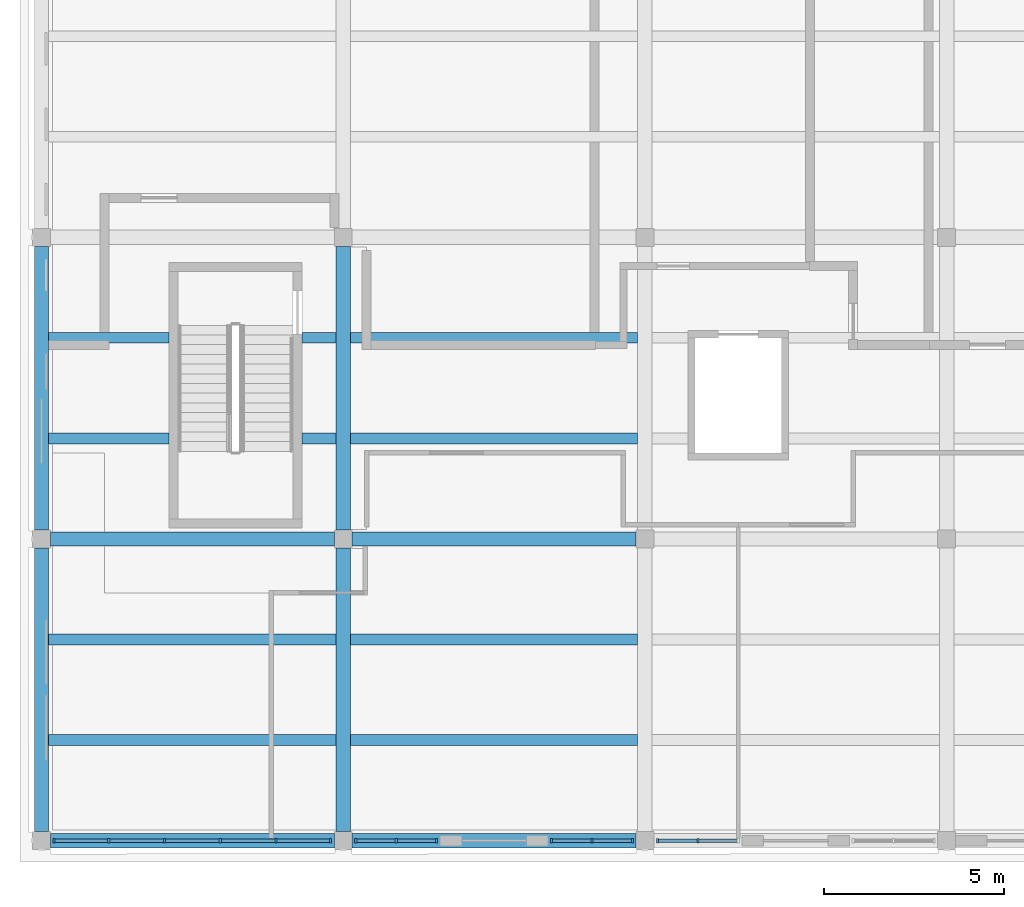
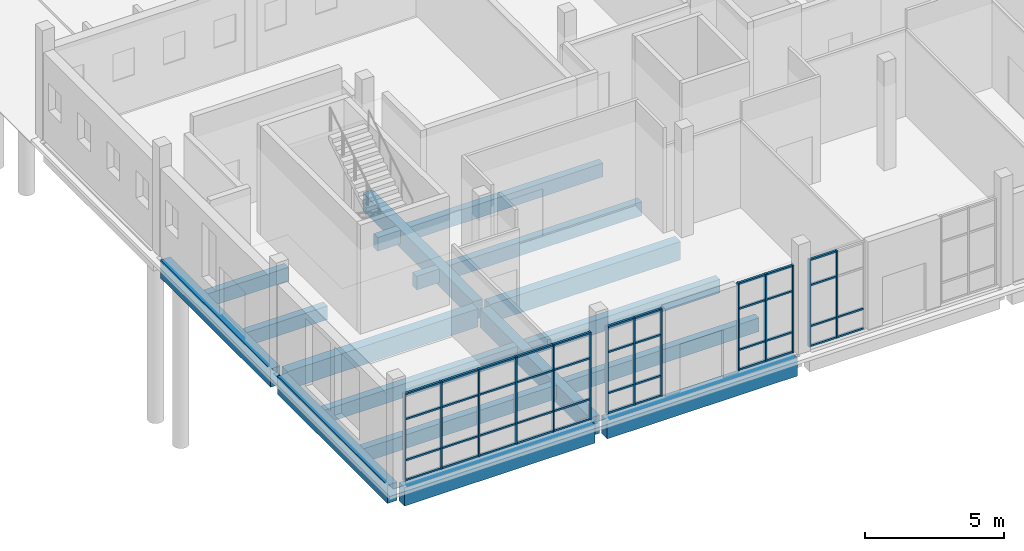
# One storey, part 6 of 110: 56 members, 18 beams, 4 elements without a shape of their own.
"""IFC4 building model written with IfcOpenShell, lengths in metres."""

from ifc_helpers import new_model, si_unit, direction, frame, origin, origin_2d, place, context, subcontext, project, spatial, rectangle, extrude, material, layer, layer_set, material_profile, profile_set, type_object, element, aggregate, save


model = new_model("IFC4")

# Units and contexts
model_context = context("Model", 3, precision=1e-05, world=origin(), true_north=direction((0.0, 1.0)))
body_context = subcontext(model_context, "Body", "Model", "MODEL_VIEW")
ifc_project = project(units=[si_unit("LENGTHUNIT", "METRE"), si_unit("AREAUNIT", "SQUARE_METRE"), si_unit("VOLUMEUNIT", "CUBIC_METRE"), si_unit("PLANEANGLEUNIT", "RADIAN"), si_unit("MASSUNIT", "GRAM", prefix="KILO")], contexts=[model_context])

# Site, building, storey
site_placement = place(None, origin())
site = spatial("IfcSite", under=ifc_project, at=site_placement, CompositionType="ELEMENT")
building_placement = place(site_placement, origin())
building = spatial("IfcBuilding", under=site, at=building_placement, Name="Larchfold Concert Hall", CompositionType="ELEMENT")
storey_placement = place(building_placement, origin())
storey = spatial("IfcBuildingStorey", under=building, at=storey_placement, Name="L00", CompositionType="ELEMENT", Elevation=0.0)

# Curtain wall, members
ifc_material_1 = material(Name="Anodised graphite aluminium curtain wall", Category="aluminium")
ifc_layer = layer(ifc_material_1, 0.1201171875)
ifc_layer_set = layer_set([ifc_layer], Name="Anodised graphite aluminium curtain wall")
curtain_wall_type = type_object("IfcCurtainWallType", Name="Curtain wall SF", PredefinedType="NOTDEFINED", material=ifc_layer_set)
curtain_wall_1_placement = place(storey_placement, origin())
curtain_wall_1 = element("IfcCurtainWall", 1, at=curtain_wall_1_placement, inside=storey, type_object=curtain_wall_type, Name="Curtain wall CW0294", PredefinedType="NOTDEFINED")
ifc_material_2 = material(Name="Anodised graphite aluminium mullion", Category="aluminium")
ifc_material_profile_1 = material_profile(ifc_material_2, rectangle(XDim=0.1201171875, YDim=0.06005859375, at=origin_2d()))
ifc_profile_set_1 = profile_set([ifc_material_profile_1], Name="Anodised graphite aluminium mullion")
member_type_1 = type_object("IfcMemberType", Name="Aluminium mullion 60x120", PredefinedType="MULLION", material=ifc_profile_set_1)
member_1_placement = place(storey_placement, frame((0.9501953125, 0.60009765625, 0.0), z_axis=(0.0, 0.0, 1.0), x_axis=(0.0, 1.0, 0.0)))
member_1 = element("IfcMember", 2, at=member_1_placement, type_object=member_type_1, Name="CW0294 mullion 1", PredefinedType="MULLION", context=body_context, shape_type="SweptSolid", body=[
    extrude(rectangle(XDim=0.1201171875, YDim=0.06005859375, at=origin_2d()), origin(), (0.0, 0.0, 1.0), 3.840087890625),
])
member_2_placement = place(storey_placement, frame((2.47216796875, 0.60009765625, 0.0), z_axis=(0.0, 0.0, 1.0), x_axis=(0.0, 1.0, 0.0)))
member_2 = element("IfcMember", 3, at=member_2_placement, type_object=member_type_1, Name="CW0294 mullion 2", PredefinedType="MULLION", context=body_context, shape_type="SweptSolid", body=[
    extrude(rectangle(XDim=0.1201171875, YDim=0.06005859375, at=origin_2d()), origin(), (0.0, 0.0, 1.0), 3.840087890625),
])
member_3_placement = place(storey_placement, frame((4.024169921875, 0.60009765625, 0.0), z_axis=(0.0, 0.0, 1.0), x_axis=(0.0, 1.0, 0.0)))
member_3 = element("IfcMember", 4, at=member_3_placement, type_object=member_type_1, Name="CW0294 mullion 3", PredefinedType="MULLION", context=body_context, shape_type="SweptSolid", body=[
    extrude(rectangle(XDim=0.1201171875, YDim=0.06005859375, at=origin_2d()), origin(), (0.0, 0.0, 1.0), 3.840087890625),
])
member_4_placement = place(storey_placement, frame((5.575927734375, 0.60009765625, 0.0), z_axis=(0.0, 0.0, 1.0), x_axis=(0.0, 1.0, 0.0)))
member_4 = element("IfcMember", 5, at=member_4_placement, type_object=member_type_1, Name="CW0294 mullion 4", PredefinedType="MULLION", context=body_context, shape_type="SweptSolid", body=[
    extrude(rectangle(XDim=0.1201171875, YDim=0.06005859375, at=origin_2d()), origin(), (0.0, 0.0, 1.0), 3.840087890625),
])
member_5_placement = place(storey_placement, frame((7.1279296875, 0.60009765625, 0.0), z_axis=(0.0, 0.0, 1.0), x_axis=(0.0, 1.0, 0.0)))
member_5 = element("IfcMember", 6, at=member_5_placement, type_object=member_type_1, Name="CW0294 mullion 5", PredefinedType="MULLION", context=body_context, shape_type="SweptSolid", body=[
    extrude(rectangle(XDim=0.1201171875, YDim=0.06005859375, at=origin_2d()), origin(), (0.0, 0.0, 1.0), 3.840087890625),
])
member_6_placement = place(storey_placement, frame((8.64990234375, 0.60009765625, 0.0), z_axis=(0.0, 0.0, 1.0), x_axis=(0.0, 1.0, 0.0)))
member_6 = element("IfcMember", 7, at=member_6_placement, type_object=member_type_1, Name="CW0294 mullion 6", PredefinedType="MULLION", context=body_context, shape_type="SweptSolid", body=[
    extrude(rectangle(XDim=0.1201171875, YDim=0.06005859375, at=origin_2d()), origin(), (0.0, 0.0, 1.0), 3.840087890625),
])

curtain_wall_2_placement = place(storey_placement, origin())
curtain_wall_2 = element("IfcCurtainWall", 8, at=curtain_wall_2_placement, inside=storey, type_object=curtain_wall_type, Name="Curtain wall CW0295", PredefinedType="NOTDEFINED")
member_7_placement = place(storey_placement, frame((9.35009765625, 0.60009765625, 0.0), z_axis=(0.0, 0.0, 1.0), x_axis=(0.0, 1.0, 0.0)))
member_7 = element("IfcMember", 9, at=member_7_placement, type_object=member_type_1, Name="CW0295 mullion 1", PredefinedType="MULLION", context=body_context, shape_type="SweptSolid", body=[
    extrude(rectangle(XDim=0.1201171875, YDim=0.06005859375, at=origin_2d()), origin(), (0.0, 0.0, 1.0), 3.840087890625),
])
member_8_placement = place(storey_placement, frame((10.47509765625, 0.60009765625, 0.0), z_axis=(0.0, 0.0, 1.0), x_axis=(0.0, 1.0, 0.0)))
member_8 = element("IfcMember", 10, at=member_8_placement, type_object=member_type_1, Name="CW0295 mullion 2", PredefinedType="MULLION", context=body_context, shape_type="SweptSolid", body=[
    extrude(rectangle(XDim=0.1201171875, YDim=0.06005859375, at=origin_2d()), origin(), (0.0, 0.0, 1.0), 3.840087890625),
])
member_9_placement = place(storey_placement, frame((11.599853515625, 0.60009765625, 0.0), z_axis=(0.0, 0.0, 1.0), x_axis=(0.0, 1.0, 0.0)))
member_9 = element("IfcMember", 11, at=member_9_placement, type_object=member_type_1, Name="CW0295 mullion 3", PredefinedType="MULLION", context=body_context, shape_type="SweptSolid", body=[
    extrude(rectangle(XDim=0.1201171875, YDim=0.06005859375, at=origin_2d()), origin(), (0.0, 0.0, 1.0), 3.840087890625),
])

curtain_wall_3_placement = place(storey_placement, origin())
curtain_wall_3 = element("IfcCurtainWall", 12, at=curtain_wall_3_placement, inside=storey, type_object=curtain_wall_type, Name="Curtain wall CW0296", PredefinedType="NOTDEFINED")
member_10_placement = place(storey_placement, frame((14.800048828125, 0.60009765625, 0.0), z_axis=(0.0, 0.0, 1.0), x_axis=(0.0, 1.0, 0.0)))
member_10 = element("IfcMember", 13, at=member_10_placement, type_object=member_type_1, Name="CW0296 mullion 1", PredefinedType="MULLION", context=body_context, shape_type="SweptSolid", body=[
    extrude(rectangle(XDim=0.1201171875, YDim=0.06005859375, at=origin_2d()), origin(), (0.0, 0.0, 1.0), 3.840087890625),
])
member_11_placement = place(storey_placement, frame((15.9248046875, 0.60009765625, 0.0), z_axis=(0.0, 0.0, 1.0), x_axis=(0.0, 1.0, 0.0)))
member_11 = element("IfcMember", 14, at=member_11_placement, type_object=member_type_1, Name="CW0296 mullion 2", PredefinedType="MULLION", context=body_context, shape_type="SweptSolid", body=[
    extrude(rectangle(XDim=0.1201171875, YDim=0.06005859375, at=origin_2d()), origin(), (0.0, 0.0, 1.0), 3.840087890625),
])
member_12_placement = place(storey_placement, frame((17.0498046875, 0.60009765625, 0.0), z_axis=(0.0, 0.0, 1.0), x_axis=(0.0, 1.0, 0.0)))
member_12 = element("IfcMember", 15, at=member_12_placement, type_object=member_type_1, Name="CW0296 mullion 3", PredefinedType="MULLION", context=body_context, shape_type="SweptSolid", body=[
    extrude(rectangle(XDim=0.1201171875, YDim=0.06005859375, at=origin_2d()), origin(), (0.0, 0.0, 1.0), 3.840087890625),
])

curtain_wall_4_placement = place(storey_placement, origin())
curtain_wall_4 = element("IfcCurtainWall", 16, at=curtain_wall_4_placement, inside=storey, type_object=curtain_wall_type, Name="Curtain wall CW0297", PredefinedType="NOTDEFINED")
member_13_placement = place(storey_placement, frame((17.75, 0.60009765625, 0.0), z_axis=(0.0, 0.0, 1.0), x_axis=(0.0, 1.0, 0.0)))
member_13 = element("IfcMember", 17, at=member_13_placement, type_object=member_type_1, Name="CW0297 mullion 1", PredefinedType="MULLION", context=body_context, shape_type="SweptSolid", body=[
    extrude(rectangle(XDim=0.1201171875, YDim=0.06005859375, at=origin_2d()), origin(), (0.0, 0.0, 1.0), 3.840087890625),
])
member_14_placement = place(storey_placement, frame((18.875, 0.60009765625, 0.0), z_axis=(0.0, 0.0, 1.0), x_axis=(0.0, 1.0, 0.0)))
member_14 = element("IfcMember", 18, at=member_14_placement, type_object=member_type_1, Name="CW0297 mullion 2", PredefinedType="MULLION", context=body_context, shape_type="SweptSolid", body=[
    extrude(rectangle(XDim=0.1201171875, YDim=0.06005859375, at=origin_2d()), origin(), (0.0, 0.0, 1.0), 3.840087890625),
])

# Member
ifc_material_3 = material(Name="Anodised graphite aluminium transom", Category="aluminium")
ifc_material_profile_2 = material_profile(ifc_material_3, rectangle(XDim=0.090087890625, YDim=0.070068359375, at=origin_2d()))
ifc_profile_set_2 = profile_set([ifc_material_profile_2], Name="Anodised graphite aluminium transom")
member_type_2 = type_object("IfcMemberType", Name="Aluminium transom 70x90", PredefinedType="USERDEFINED", material=ifc_profile_set_2)
member_15_placement = place(storey_placement, frame((0.980224609375, 0.60009765625, 0.034912109375), z_axis=(1.0, 0.0, 0.0), x_axis=(0.0, 1.0, 0.0)))
member_15 = element("IfcMember", 19, at=member_15_placement, type_object=member_type_2, Name="CW0294 transom 1.1", ObjectType="TRANSOM", PredefinedType="USERDEFINED", context=body_context, shape_type="SweptSolid", body=[
    extrude(rectangle(XDim=0.090087890625, YDim=0.070068359375, at=origin_2d()), origin(), (0.0, 0.0, 1.0), 1.4619140625),
])

member_16_placement = place(storey_placement, frame((0.980224609375, 0.60009765625, 0.89990234375), z_axis=(1.0, 0.0, 0.0), x_axis=(0.0, 1.0, 0.0)))
member_16 = element("IfcMember", 20, at=member_16_placement, type_object=member_type_2, Name="CW0294 transom 1.2", ObjectType="TRANSOM", PredefinedType="USERDEFINED", context=body_context, shape_type="SweptSolid", body=[
    extrude(rectangle(XDim=0.090087890625, YDim=0.070068359375, at=origin_2d()), origin(), (0.0, 0.0, 1.0), 1.4619140625),
])

member_17_placement = place(storey_placement, frame((0.980224609375, 0.60009765625, 2.699951171875), z_axis=(1.0, 0.0, 0.0), x_axis=(0.0, 1.0, 0.0)))
member_17 = element("IfcMember", 21, at=member_17_placement, type_object=member_type_2, Name="CW0294 transom 1.3", ObjectType="TRANSOM", PredefinedType="USERDEFINED", context=body_context, shape_type="SweptSolid", body=[
    extrude(rectangle(XDim=0.090087890625, YDim=0.070068359375, at=origin_2d()), origin(), (0.0, 0.0, 1.0), 1.4619140625),
])

member_18_placement = place(storey_placement, frame((0.980224609375, 0.60009765625, 3.80517578125), z_axis=(1.0, 0.0, 0.0), x_axis=(0.0, 1.0, 0.0)))
member_18 = element("IfcMember", 22, at=member_18_placement, type_object=member_type_2, Name="CW0294 transom 1.4", ObjectType="TRANSOM", PredefinedType="USERDEFINED", context=body_context, shape_type="SweptSolid", body=[
    extrude(rectangle(XDim=0.090087890625, YDim=0.070068359375, at=origin_2d()), origin(), (0.0, 0.0, 1.0), 1.4619140625),
])

member_19_placement = place(storey_placement, frame((2.502197265625, 0.60009765625, 0.034912109375), z_axis=(1.0, 0.0, 0.0), x_axis=(0.0, 1.0, 0.0)))
member_19 = element("IfcMember", 23, at=member_19_placement, type_object=member_type_2, Name="CW0294 transom 2.1", ObjectType="TRANSOM", PredefinedType="USERDEFINED", context=body_context, shape_type="SweptSolid", body=[
    extrude(rectangle(XDim=0.090087890625, YDim=0.070068359375, at=origin_2d()), origin(), (0.0, 0.0, 1.0), 1.491943359375),
])

member_20_placement = place(storey_placement, frame((2.502197265625, 0.60009765625, 0.89990234375), z_axis=(1.0, 0.0, 0.0), x_axis=(0.0, 1.0, 0.0)))
member_20 = element("IfcMember", 24, at=member_20_placement, type_object=member_type_2, Name="CW0294 transom 2.2", ObjectType="TRANSOM", PredefinedType="USERDEFINED", context=body_context, shape_type="SweptSolid", body=[
    extrude(rectangle(XDim=0.090087890625, YDim=0.070068359375, at=origin_2d()), origin(), (0.0, 0.0, 1.0), 1.491943359375),
])

member_21_placement = place(storey_placement, frame((2.502197265625, 0.60009765625, 2.699951171875), z_axis=(1.0, 0.0, 0.0), x_axis=(0.0, 1.0, 0.0)))
member_21 = element("IfcMember", 25, at=member_21_placement, type_object=member_type_2, Name="CW0294 transom 2.3", ObjectType="TRANSOM", PredefinedType="USERDEFINED", context=body_context, shape_type="SweptSolid", body=[
    extrude(rectangle(XDim=0.090087890625, YDim=0.070068359375, at=origin_2d()), origin(), (0.0, 0.0, 1.0), 1.491943359375),
])

member_22_placement = place(storey_placement, frame((2.502197265625, 0.60009765625, 3.80517578125), z_axis=(1.0, 0.0, 0.0), x_axis=(0.0, 1.0, 0.0)))
member_22 = element("IfcMember", 26, at=member_22_placement, type_object=member_type_2, Name="CW0294 transom 2.4", ObjectType="TRANSOM", PredefinedType="USERDEFINED", context=body_context, shape_type="SweptSolid", body=[
    extrude(rectangle(XDim=0.090087890625, YDim=0.070068359375, at=origin_2d()), origin(), (0.0, 0.0, 1.0), 1.491943359375),
])

member_23_placement = place(storey_placement, frame((4.053955078125, 0.60009765625, 0.034912109375), z_axis=(1.0, 0.0, 0.0), x_axis=(0.0, 1.0, 0.0)))
member_23 = element("IfcMember", 27, at=member_23_placement, type_object=member_type_2, Name="CW0294 transom 3.1", ObjectType="TRANSOM", PredefinedType="USERDEFINED", context=body_context, shape_type="SweptSolid", body=[
    extrude(rectangle(XDim=0.090087890625, YDim=0.070068359375, at=origin_2d()), origin(), (0.0, 0.0, 1.0), 1.4921875),
])

member_24_placement = place(storey_placement, frame((4.053955078125, 0.60009765625, 0.89990234375), z_axis=(1.0, 0.0, 0.0), x_axis=(0.0, 1.0, 0.0)))
member_24 = element("IfcMember", 28, at=member_24_placement, type_object=member_type_2, Name="CW0294 transom 3.2", ObjectType="TRANSOM", PredefinedType="USERDEFINED", context=body_context, shape_type="SweptSolid", body=[
    extrude(rectangle(XDim=0.090087890625, YDim=0.070068359375, at=origin_2d()), origin(), (0.0, 0.0, 1.0), 1.4921875),
])

member_25_placement = place(storey_placement, frame((4.053955078125, 0.60009765625, 2.699951171875), z_axis=(1.0, 0.0, 0.0), x_axis=(0.0, 1.0, 0.0)))
member_25 = element("IfcMember", 29, at=member_25_placement, type_object=member_type_2, Name="CW0294 transom 3.3", ObjectType="TRANSOM", PredefinedType="USERDEFINED", context=body_context, shape_type="SweptSolid", body=[
    extrude(rectangle(XDim=0.090087890625, YDim=0.070068359375, at=origin_2d()), origin(), (0.0, 0.0, 1.0), 1.4921875),
])

member_26_placement = place(storey_placement, frame((4.053955078125, 0.60009765625, 3.80517578125), z_axis=(1.0, 0.0, 0.0), x_axis=(0.0, 1.0, 0.0)))
member_26 = element("IfcMember", 30, at=member_26_placement, type_object=member_type_2, Name="CW0294 transom 3.4", ObjectType="TRANSOM", PredefinedType="USERDEFINED", context=body_context, shape_type="SweptSolid", body=[
    extrude(rectangle(XDim=0.090087890625, YDim=0.070068359375, at=origin_2d()), origin(), (0.0, 0.0, 1.0), 1.4921875),
])

member_27_placement = place(storey_placement, frame((5.60595703125, 0.60009765625, 0.034912109375), z_axis=(1.0, 0.0, 0.0), x_axis=(0.0, 1.0, 0.0)))
member_27 = element("IfcMember", 31, at=member_27_placement, type_object=member_type_2, Name="CW0294 transom 4.1", ObjectType="TRANSOM", PredefinedType="USERDEFINED", context=body_context, shape_type="SweptSolid", body=[
    extrude(rectangle(XDim=0.090087890625, YDim=0.070068359375, at=origin_2d()), origin(), (0.0, 0.0, 1.0), 1.491943359375),
])

member_28_placement = place(storey_placement, frame((5.60595703125, 0.60009765625, 0.89990234375), z_axis=(1.0, 0.0, 0.0), x_axis=(0.0, 1.0, 0.0)))
member_28 = element("IfcMember", 32, at=member_28_placement, type_object=member_type_2, Name="CW0294 transom 4.2", ObjectType="TRANSOM", PredefinedType="USERDEFINED", context=body_context, shape_type="SweptSolid", body=[
    extrude(rectangle(XDim=0.090087890625, YDim=0.070068359375, at=origin_2d()), origin(), (0.0, 0.0, 1.0), 1.491943359375),
])

member_29_placement = place(storey_placement, frame((5.60595703125, 0.60009765625, 2.699951171875), z_axis=(1.0, 0.0, 0.0), x_axis=(0.0, 1.0, 0.0)))
member_29 = element("IfcMember", 33, at=member_29_placement, type_object=member_type_2, Name="CW0294 transom 4.3", ObjectType="TRANSOM", PredefinedType="USERDEFINED", context=body_context, shape_type="SweptSolid", body=[
    extrude(rectangle(XDim=0.090087890625, YDim=0.070068359375, at=origin_2d()), origin(), (0.0, 0.0, 1.0), 1.491943359375),
])

member_30_placement = place(storey_placement, frame((5.60595703125, 0.60009765625, 3.80517578125), z_axis=(1.0, 0.0, 0.0), x_axis=(0.0, 1.0, 0.0)))
member_30 = element("IfcMember", 34, at=member_30_placement, type_object=member_type_2, Name="CW0294 transom 4.4", ObjectType="TRANSOM", PredefinedType="USERDEFINED", context=body_context, shape_type="SweptSolid", body=[
    extrude(rectangle(XDim=0.090087890625, YDim=0.070068359375, at=origin_2d()), origin(), (0.0, 0.0, 1.0), 1.491943359375),
])

member_31_placement = place(storey_placement, frame((7.157958984375, 0.60009765625, 0.034912109375), z_axis=(1.0, 0.0, 0.0), x_axis=(0.0, 1.0, 0.0)))
member_31 = element("IfcMember", 35, at=member_31_placement, type_object=member_type_2, Name="CW0294 transom 5.1", ObjectType="TRANSOM", PredefinedType="USERDEFINED", context=body_context, shape_type="SweptSolid", body=[
    extrude(rectangle(XDim=0.090087890625, YDim=0.070068359375, at=origin_2d()), origin(), (0.0, 0.0, 1.0), 1.4619140625),
])

member_32_placement = place(storey_placement, frame((7.157958984375, 0.60009765625, 0.89990234375), z_axis=(1.0, 0.0, 0.0), x_axis=(0.0, 1.0, 0.0)))
member_32 = element("IfcMember", 36, at=member_32_placement, type_object=member_type_2, Name="CW0294 transom 5.2", ObjectType="TRANSOM", PredefinedType="USERDEFINED", context=body_context, shape_type="SweptSolid", body=[
    extrude(rectangle(XDim=0.090087890625, YDim=0.070068359375, at=origin_2d()), origin(), (0.0, 0.0, 1.0), 1.4619140625),
])

member_33_placement = place(storey_placement, frame((7.157958984375, 0.60009765625, 2.699951171875), z_axis=(1.0, 0.0, 0.0), x_axis=(0.0, 1.0, 0.0)))
member_33 = element("IfcMember", 37, at=member_33_placement, type_object=member_type_2, Name="CW0294 transom 5.3", ObjectType="TRANSOM", PredefinedType="USERDEFINED", context=body_context, shape_type="SweptSolid", body=[
    extrude(rectangle(XDim=0.090087890625, YDim=0.070068359375, at=origin_2d()), origin(), (0.0, 0.0, 1.0), 1.4619140625),
])

member_34_placement = place(storey_placement, frame((7.157958984375, 0.60009765625, 3.80517578125), z_axis=(1.0, 0.0, 0.0), x_axis=(0.0, 1.0, 0.0)))
member_34 = element("IfcMember", 38, at=member_34_placement, type_object=member_type_2, Name="CW0294 transom 5.4", ObjectType="TRANSOM", PredefinedType="USERDEFINED", context=body_context, shape_type="SweptSolid", body=[
    extrude(rectangle(XDim=0.090087890625, YDim=0.070068359375, at=origin_2d()), origin(), (0.0, 0.0, 1.0), 1.4619140625),
])

aggregate(curtain_wall_1, [member_1, member_2, member_3, member_4, member_5, member_6, member_15, member_16, member_17, member_18, member_19, member_20, member_21, member_22, member_23, member_24, member_25, member_26, member_27, member_28, member_29, member_30, member_31, member_32, member_33, member_34])

member_35_placement = place(storey_placement, frame((9.380126953125, 0.60009765625, 0.034912109375), z_axis=(1.0, 0.0, 0.0), x_axis=(0.0, 1.0, 0.0)))
member_35 = element("IfcMember", 39, at=member_35_placement, type_object=member_type_2, Name="CW0295 transom 1.1", ObjectType="TRANSOM", PredefinedType="USERDEFINED", context=body_context, shape_type="SweptSolid", body=[
    extrude(rectangle(XDim=0.090087890625, YDim=0.070068359375, at=origin_2d()), origin(), (0.0, 0.0, 1.0), 1.06494140625),
])

member_36_placement = place(storey_placement, frame((9.380126953125, 0.60009765625, 0.89990234375), z_axis=(1.0, 0.0, 0.0), x_axis=(0.0, 1.0, 0.0)))
member_36 = element("IfcMember", 40, at=member_36_placement, type_object=member_type_2, Name="CW0295 transom 1.2", ObjectType="TRANSOM", PredefinedType="USERDEFINED", context=body_context, shape_type="SweptSolid", body=[
    extrude(rectangle(XDim=0.090087890625, YDim=0.070068359375, at=origin_2d()), origin(), (0.0, 0.0, 1.0), 1.06494140625),
])

member_37_placement = place(storey_placement, frame((9.380126953125, 0.60009765625, 2.699951171875), z_axis=(1.0, 0.0, 0.0), x_axis=(0.0, 1.0, 0.0)))
member_37 = element("IfcMember", 41, at=member_37_placement, type_object=member_type_2, Name="CW0295 transom 1.3", ObjectType="TRANSOM", PredefinedType="USERDEFINED", context=body_context, shape_type="SweptSolid", body=[
    extrude(rectangle(XDim=0.090087890625, YDim=0.070068359375, at=origin_2d()), origin(), (0.0, 0.0, 1.0), 1.06494140625),
])

member_38_placement = place(storey_placement, frame((9.380126953125, 0.60009765625, 3.80517578125), z_axis=(1.0, 0.0, 0.0), x_axis=(0.0, 1.0, 0.0)))
member_38 = element("IfcMember", 42, at=member_38_placement, type_object=member_type_2, Name="CW0295 transom 1.4", ObjectType="TRANSOM", PredefinedType="USERDEFINED", context=body_context, shape_type="SweptSolid", body=[
    extrude(rectangle(XDim=0.090087890625, YDim=0.070068359375, at=origin_2d()), origin(), (0.0, 0.0, 1.0), 1.06494140625),
])

member_39_placement = place(storey_placement, frame((10.5048828125, 0.60009765625, 0.034912109375), z_axis=(1.0, 0.0, 0.0), x_axis=(0.0, 1.0, 0.0)))
member_39 = element("IfcMember", 43, at=member_39_placement, type_object=member_type_2, Name="CW0295 transom 2.1", ObjectType="TRANSOM", PredefinedType="USERDEFINED", context=body_context, shape_type="SweptSolid", body=[
    extrude(rectangle(XDim=0.090087890625, YDim=0.070068359375, at=origin_2d()), origin(), (0.0, 0.0, 1.0), 1.06494140625),
])

member_40_placement = place(storey_placement, frame((10.5048828125, 0.60009765625, 0.89990234375), z_axis=(1.0, 0.0, 0.0), x_axis=(0.0, 1.0, 0.0)))
member_40 = element("IfcMember", 44, at=member_40_placement, type_object=member_type_2, Name="CW0295 transom 2.2", ObjectType="TRANSOM", PredefinedType="USERDEFINED", context=body_context, shape_type="SweptSolid", body=[
    extrude(rectangle(XDim=0.090087890625, YDim=0.070068359375, at=origin_2d()), origin(), (0.0, 0.0, 1.0), 1.06494140625),
])

member_41_placement = place(storey_placement, frame((10.5048828125, 0.60009765625, 2.699951171875), z_axis=(1.0, 0.0, 0.0), x_axis=(0.0, 1.0, 0.0)))
member_41 = element("IfcMember", 45, at=member_41_placement, type_object=member_type_2, Name="CW0295 transom 2.3", ObjectType="TRANSOM", PredefinedType="USERDEFINED", context=body_context, shape_type="SweptSolid", body=[
    extrude(rectangle(XDim=0.090087890625, YDim=0.070068359375, at=origin_2d()), origin(), (0.0, 0.0, 1.0), 1.06494140625),
])

member_42_placement = place(storey_placement, frame((10.5048828125, 0.60009765625, 3.80517578125), z_axis=(1.0, 0.0, 0.0), x_axis=(0.0, 1.0, 0.0)))
member_42 = element("IfcMember", 46, at=member_42_placement, type_object=member_type_2, Name="CW0295 transom 2.4", ObjectType="TRANSOM", PredefinedType="USERDEFINED", context=body_context, shape_type="SweptSolid", body=[
    extrude(rectangle(XDim=0.090087890625, YDim=0.070068359375, at=origin_2d()), origin(), (0.0, 0.0, 1.0), 1.06494140625),
])

aggregate(curtain_wall_2, [member_7, member_8, member_9, member_35, member_36, member_37, member_38, member_39, member_40, member_41, member_42])

member_43_placement = place(storey_placement, frame((14.830078125, 0.60009765625, 0.034912109375), z_axis=(1.0, 0.0, 0.0), x_axis=(0.0, 1.0, 0.0)))
member_43 = element("IfcMember", 47, at=member_43_placement, type_object=member_type_2, Name="CW0296 transom 1.1", ObjectType="TRANSOM", PredefinedType="USERDEFINED", context=body_context, shape_type="SweptSolid", body=[
    extrude(rectangle(XDim=0.090087890625, YDim=0.070068359375, at=origin_2d()), origin(), (0.0, 0.0, 1.0), 1.06494140625),
])

member_44_placement = place(storey_placement, frame((14.830078125, 0.60009765625, 0.89990234375), z_axis=(1.0, 0.0, 0.0), x_axis=(0.0, 1.0, 0.0)))
member_44 = element("IfcMember", 48, at=member_44_placement, type_object=member_type_2, Name="CW0296 transom 1.2", ObjectType="TRANSOM", PredefinedType="USERDEFINED", context=body_context, shape_type="SweptSolid", body=[
    extrude(rectangle(XDim=0.090087890625, YDim=0.070068359375, at=origin_2d()), origin(), (0.0, 0.0, 1.0), 1.06494140625),
])

member_45_placement = place(storey_placement, frame((14.830078125, 0.60009765625, 2.699951171875), z_axis=(1.0, 0.0, 0.0), x_axis=(0.0, 1.0, 0.0)))
member_45 = element("IfcMember", 49, at=member_45_placement, type_object=member_type_2, Name="CW0296 transom 1.3", ObjectType="TRANSOM", PredefinedType="USERDEFINED", context=body_context, shape_type="SweptSolid", body=[
    extrude(rectangle(XDim=0.090087890625, YDim=0.070068359375, at=origin_2d()), origin(), (0.0, 0.0, 1.0), 1.06494140625),
])

member_46_placement = place(storey_placement, frame((14.830078125, 0.60009765625, 3.80517578125), z_axis=(1.0, 0.0, 0.0), x_axis=(0.0, 1.0, 0.0)))
member_46 = element("IfcMember", 50, at=member_46_placement, type_object=member_type_2, Name="CW0296 transom 1.4", ObjectType="TRANSOM", PredefinedType="USERDEFINED", context=body_context, shape_type="SweptSolid", body=[
    extrude(rectangle(XDim=0.090087890625, YDim=0.070068359375, at=origin_2d()), origin(), (0.0, 0.0, 1.0), 1.06494140625),
])

member_47_placement = place(storey_placement, frame((15.954833984375, 0.60009765625, 0.034912109375), z_axis=(1.0, 0.0, 0.0), x_axis=(0.0, 1.0, 0.0)))
member_47 = element("IfcMember", 51, at=member_47_placement, type_object=member_type_2, Name="CW0296 transom 2.1", ObjectType="TRANSOM", PredefinedType="USERDEFINED", context=body_context, shape_type="SweptSolid", body=[
    extrude(rectangle(XDim=0.090087890625, YDim=0.070068359375, at=origin_2d()), origin(), (0.0, 0.0, 1.0), 1.06494140625),
])

member_48_placement = place(storey_placement, frame((15.954833984375, 0.60009765625, 0.89990234375), z_axis=(1.0, 0.0, 0.0), x_axis=(0.0, 1.0, 0.0)))
member_48 = element("IfcMember", 52, at=member_48_placement, type_object=member_type_2, Name="CW0296 transom 2.2", ObjectType="TRANSOM", PredefinedType="USERDEFINED", context=body_context, shape_type="SweptSolid", body=[
    extrude(rectangle(XDim=0.090087890625, YDim=0.070068359375, at=origin_2d()), origin(), (0.0, 0.0, 1.0), 1.06494140625),
])

member_49_placement = place(storey_placement, frame((15.954833984375, 0.60009765625, 2.699951171875), z_axis=(1.0, 0.0, 0.0), x_axis=(0.0, 1.0, 0.0)))
member_49 = element("IfcMember", 53, at=member_49_placement, type_object=member_type_2, Name="CW0296 transom 2.3", ObjectType="TRANSOM", PredefinedType="USERDEFINED", context=body_context, shape_type="SweptSolid", body=[
    extrude(rectangle(XDim=0.090087890625, YDim=0.070068359375, at=origin_2d()), origin(), (0.0, 0.0, 1.0), 1.06494140625),
])

member_50_placement = place(storey_placement, frame((15.954833984375, 0.60009765625, 3.80517578125), z_axis=(1.0, 0.0, 0.0), x_axis=(0.0, 1.0, 0.0)))
member_50 = element("IfcMember", 54, at=member_50_placement, type_object=member_type_2, Name="CW0296 transom 2.4", ObjectType="TRANSOM", PredefinedType="USERDEFINED", context=body_context, shape_type="SweptSolid", body=[
    extrude(rectangle(XDim=0.090087890625, YDim=0.070068359375, at=origin_2d()), origin(), (0.0, 0.0, 1.0), 1.06494140625),
])

aggregate(curtain_wall_3, [member_10, member_11, member_12, member_43, member_44, member_45, member_46, member_47, member_48, member_49, member_50])

member_51_placement = place(storey_placement, frame((17.780029296875, 0.60009765625, 0.034912109375), z_axis=(1.0, 0.0, 0.0), x_axis=(0.0, 1.0, 0.0)))
member_51 = element("IfcMember", 55, at=member_51_placement, type_object=member_type_2, Name="CW0297 transom 1.1", ObjectType="TRANSOM", PredefinedType="USERDEFINED", context=body_context, shape_type="SweptSolid", body=[
    extrude(rectangle(XDim=0.090087890625, YDim=0.070068359375, at=origin_2d()), origin(), (0.0, 0.0, 1.0), 1.06494140625),
])

member_52_placement = place(storey_placement, frame((17.780029296875, 0.60009765625, 0.89990234375), z_axis=(1.0, 0.0, 0.0), x_axis=(0.0, 1.0, 0.0)))
member_52 = element("IfcMember", 56, at=member_52_placement, type_object=member_type_2, Name="CW0297 transom 1.2", ObjectType="TRANSOM", PredefinedType="USERDEFINED", context=body_context, shape_type="SweptSolid", body=[
    extrude(rectangle(XDim=0.090087890625, YDim=0.070068359375, at=origin_2d()), origin(), (0.0, 0.0, 1.0), 1.06494140625),
])

member_53_placement = place(storey_placement, frame((17.780029296875, 0.60009765625, 2.699951171875), z_axis=(1.0, 0.0, 0.0), x_axis=(0.0, 1.0, 0.0)))
member_53 = element("IfcMember", 57, at=member_53_placement, type_object=member_type_2, Name="CW0297 transom 1.3", ObjectType="TRANSOM", PredefinedType="USERDEFINED", context=body_context, shape_type="SweptSolid", body=[
    extrude(rectangle(XDim=0.090087890625, YDim=0.070068359375, at=origin_2d()), origin(), (0.0, 0.0, 1.0), 1.06494140625),
])

member_54_placement = place(storey_placement, frame((17.780029296875, 0.60009765625, 3.80517578125), z_axis=(1.0, 0.0, 0.0), x_axis=(0.0, 1.0, 0.0)))
member_54 = element("IfcMember", 58, at=member_54_placement, type_object=member_type_2, Name="CW0297 transom 1.4", ObjectType="TRANSOM", PredefinedType="USERDEFINED", context=body_context, shape_type="SweptSolid", body=[
    extrude(rectangle(XDim=0.090087890625, YDim=0.070068359375, at=origin_2d()), origin(), (0.0, 0.0, 1.0), 1.06494140625),
])

member_55_placement = place(storey_placement, frame((18.905029296875, 0.60009765625, 0.034912109375), z_axis=(1.0, 0.0, 0.0), x_axis=(0.0, 1.0, 0.0)))
member_55 = element("IfcMember", 59, at=member_55_placement, type_object=member_type_2, Name="CW0297 transom 2.1", ObjectType="TRANSOM", PredefinedType="USERDEFINED", context=body_context, shape_type="SweptSolid", body=[
    extrude(rectangle(XDim=0.090087890625, YDim=0.070068359375, at=origin_2d()), origin(), (0.0, 0.0, 1.0), 1.06494140625),
])

member_56_placement = place(storey_placement, frame((18.905029296875, 0.60009765625, 0.89990234375), z_axis=(1.0, 0.0, 0.0), x_axis=(0.0, 1.0, 0.0)))
member_56 = element("IfcMember", 60, at=member_56_placement, type_object=member_type_2, Name="CW0297 transom 2.2", ObjectType="TRANSOM", PredefinedType="USERDEFINED", context=body_context, shape_type="SweptSolid", body=[
    extrude(rectangle(XDim=0.090087890625, YDim=0.070068359375, at=origin_2d()), origin(), (0.0, 0.0, 1.0), 1.06494140625),
])

aggregate(curtain_wall_4, [member_13, member_14, member_51, member_52, member_53, member_54, member_55, member_56])

# Beams
ifc_material_4 = material(Name="Concrete C35/45", Category="concrete")
ifc_material_profile_3 = material_profile(ifc_material_4, rectangle(XDim=0.300048828125, YDim=0.60009765625, at=origin_2d()))
ifc_profile_set_3 = profile_set([ifc_material_profile_3], Name="Concrete C35/45")
beam_type_1 = type_object("IfcBeamType", Name="Beam RC 300x600", PredefinedType="BEAM", material=ifc_profile_set_3)
for number, where, z_axis, x_axis, name in (
    (61, (0.800048828125, 3.39990234375, -0.4599609375), (1.0, 0.0, 0.0), (0.0, 1.0, 0.0), "Beam B0051"),
    (62, (9.199951171875, 3.39990234375, -0.4599609375), (1.0, 0.0, 0.0), (0.0, 1.0, 0.0), "Beam B0052"),
    (63, (0.800048828125, 6.199951171875, -0.4599609375), (1.0, 0.0, 0.0), (0.0, 1.0, 0.0), "Beam B0058"),
    (64, (9.199951171875, 6.199951171875, -0.4599609375), (1.0, 0.0, 0.0), (0.0, 1.0, 0.0), "Beam B0059"),
):
    element("IfcBeam", number, at=place(storey_placement, frame(where, z_axis=z_axis, x_axis=x_axis)), inside=storey, type_object=beam_type_1, Name=name, PredefinedType="BEAM", context=body_context, shape_type="SweptSolid", body=[
        extrude(rectangle(XDim=0.300048828125, YDim=0.60009765625, at=origin_2d()), origin(), (0.0, 0.0, 1.0), 8.0),
    ])
beam_1_placement = place(storey_placement, frame((0.800048828125, 11.800048828125, -0.4599609375), z_axis=(1.0, 0.0, 0.0), x_axis=(0.0, 1.0, 0.0)))
element("IfcBeam", 65, at=beam_1_placement, inside=storey, type_object=beam_type_1, Name="Beam B0065", PredefinedType="BEAM", context=body_context, shape_type="SweptSolid", body=[
    extrude(rectangle(XDim=0.300048828125, YDim=0.60009765625, at=origin_2d()), origin(), (0.0, 0.0, 1.0), 3.349853515625),
])
beam_2_placement = place(storey_placement, frame((7.85009765625, 11.800048828125, -0.4599609375), z_axis=(1.0, 0.0, 0.0), x_axis=(0.0, 1.0, 0.0)))
element("IfcBeam", 66, at=beam_2_placement, inside=storey, type_object=beam_type_1, Name="Beam B0066", PredefinedType="BEAM", context=body_context, shape_type="SweptSolid", body=[
    extrude(rectangle(XDim=0.300048828125, YDim=0.60009765625, at=origin_2d()), origin(), (0.0, 0.0, 1.0), 0.949951171875),
])
beam_3_placement = place(storey_placement, frame((9.199951171875, 11.800048828125, -0.4599609375), z_axis=(1.0, 0.0, 0.0), x_axis=(0.0, 1.0, 0.0)))
element("IfcBeam", 67, at=beam_3_placement, inside=storey, type_object=beam_type_1, Name="Beam B0067", PredefinedType="BEAM", context=body_context, shape_type="SweptSolid", body=[
    extrude(rectangle(XDim=0.300048828125, YDim=0.60009765625, at=origin_2d()), origin(), (0.0, 0.0, 1.0), 8.0),
])
beam_4_placement = place(storey_placement, frame((0.800048828125, 14.60009765625, -0.4599609375), z_axis=(1.0, 0.0, 0.0), x_axis=(0.0, 1.0, 0.0)))
element("IfcBeam", 68, at=beam_4_placement, inside=storey, type_object=beam_type_1, Name="Beam B0074", PredefinedType="BEAM", context=body_context, shape_type="SweptSolid", body=[
    extrude(rectangle(XDim=0.300048828125, YDim=0.60009765625, at=origin_2d()), origin(), (0.0, 0.0, 1.0), 3.349853515625),
])
beam_5_placement = place(storey_placement, frame((7.85009765625, 14.60009765625, -0.4599609375), z_axis=(1.0, 0.0, 0.0), x_axis=(0.0, 1.0, 0.0)))
element("IfcBeam", 69, at=beam_5_placement, inside=storey, type_object=beam_type_1, Name="Beam B0075", PredefinedType="BEAM", context=body_context, shape_type="SweptSolid", body=[
    extrude(rectangle(XDim=0.300048828125, YDim=0.60009765625, at=origin_2d()), origin(), (0.0, 0.0, 1.0), 0.949951171875),
])
beam_6_placement = place(storey_placement, frame((9.199951171875, 14.60009765625, -0.4599609375), z_axis=(1.0, 0.0, 0.0), x_axis=(0.0, 1.0, 0.0)))
element("IfcBeam", 70, at=beam_6_placement, inside=storey, type_object=beam_type_1, Name="Beam B0076", PredefinedType="BEAM", context=body_context, shape_type="SweptSolid", body=[
    extrude(rectangle(XDim=0.300048828125, YDim=0.60009765625, at=origin_2d()), origin(), (0.0, 0.0, 1.0), 8.0),
])
ifc_material_5 = material(Name="Concrete C35/45", Category="concrete")
ifc_material_profile_4 = material_profile(ifc_material_5, rectangle(XDim=0.39990234375, YDim=0.800048828125, at=origin_2d()))
ifc_profile_set_4 = profile_set([ifc_material_profile_4], Name="Concrete C35/45")
beam_type_2 = type_object("IfcBeamType", Name="Beam RC 400x800", PredefinedType="BEAM", material=ifc_profile_set_4)
for number, where, z_axis, x_axis, name in (
    (71, (0.60009765625, 0.85009765625, -0.56005859375), (0.0, 1.0, 0.0), (-1.0, 0.0, 0.0), "Beam B0001"),
    (72, (0.60009765625, 9.25, -0.56005859375), (0.0, 1.0, 0.0), (-1.0, 0.0, 0.0), "Beam B0002"),
    (73, (9.0, 0.85009765625, -0.56005859375), (0.0, 1.0, 0.0), (-1.0, 0.0, 0.0), "Beam B0004"),
    (74, (9.0, 9.25, -0.56005859375), (0.0, 1.0, 0.0), (-1.0, 0.0, 0.0), "Beam B0005"),
    (75, (0.85009765625, 0.60009765625, -0.56005859375), (1.0, 0.0, 0.0), (0.0, 1.0, 0.0), "Beam B0024"),
    (76, (9.25, 0.60009765625, -0.56005859375), (1.0, 0.0, 0.0), (0.0, 1.0, 0.0), "Beam B0025"),
    (77, (0.85009765625, 9.0, -0.56005859375), (1.0, 0.0, 0.0), (0.0, 1.0, 0.0), "Beam B0031"),
    (78, (9.25, 9.0, -0.56005859375), (1.0, 0.0, 0.0), (0.0, 1.0, 0.0), "Beam B0032"),
):
    element("IfcBeam", number, at=place(storey_placement, frame(where, z_axis=z_axis, x_axis=x_axis)), inside=storey, type_object=beam_type_2, Name=name, PredefinedType="BEAM", context=body_context, shape_type="SweptSolid", body=[
        extrude(rectangle(XDim=0.39990234375, YDim=0.800048828125, at=origin_2d()), origin(), (0.0, 0.0, 1.0), 7.89990234375),
    ])

save(model, "model.ifc")
